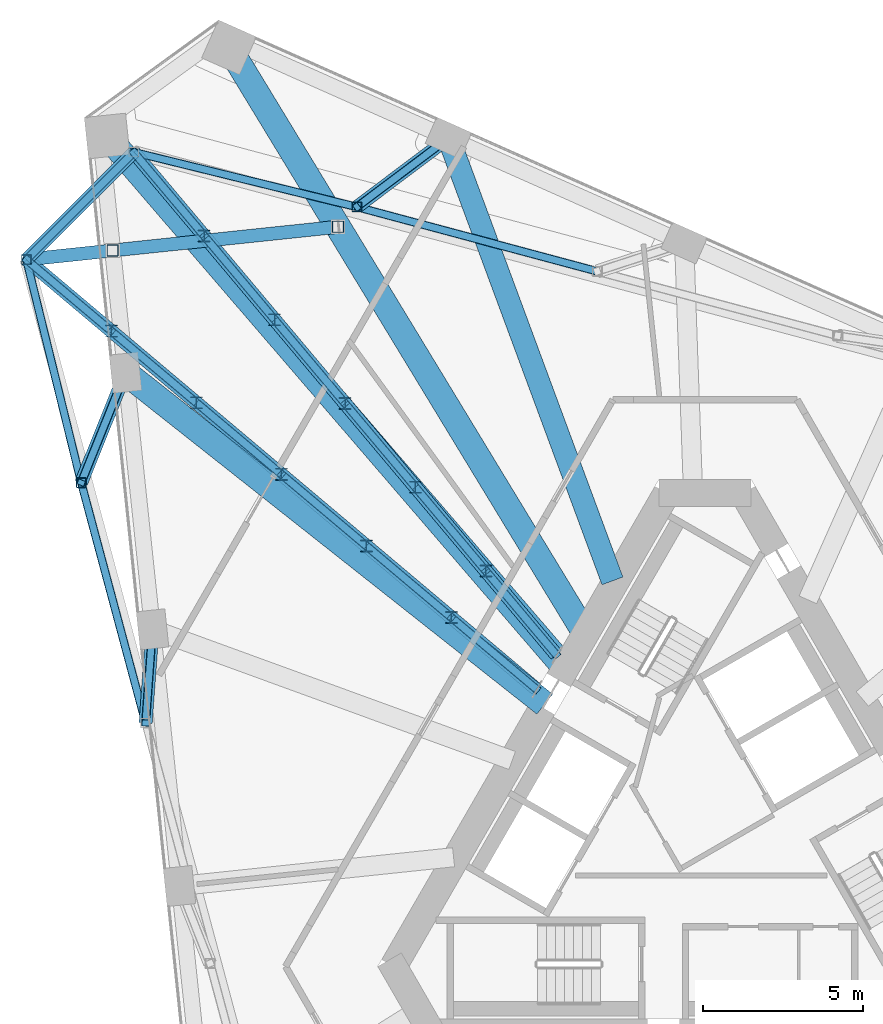
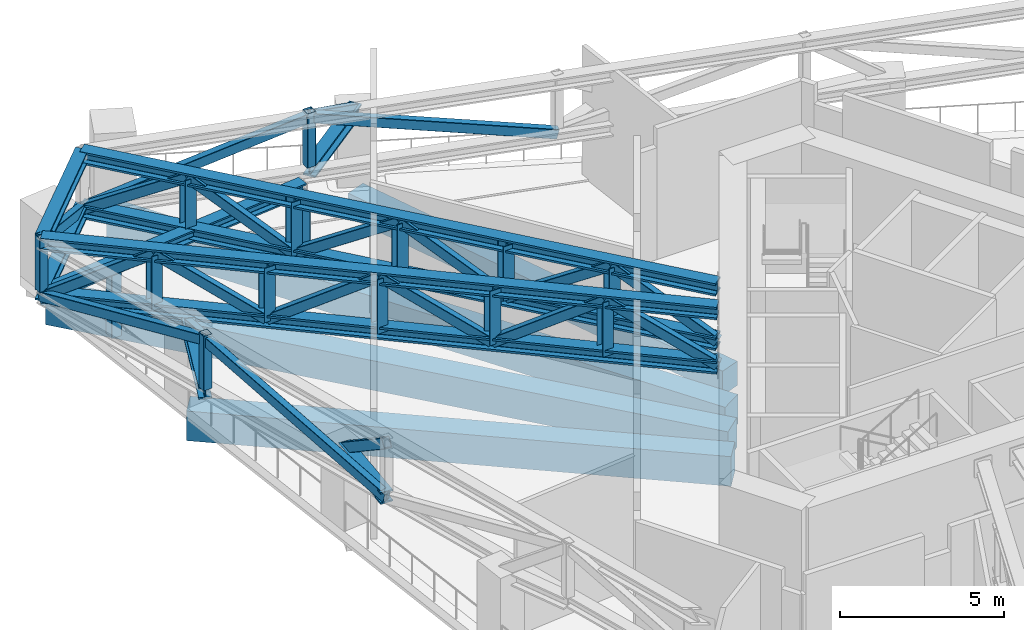
# One storey, part 9 of 26: 45 members, 4 beams.
"""IFC4 building model written with IfcOpenShell, lengths in metres."""

from ifc_helpers import new_model, si_unit, direction, frame, origin, origin_2d, place, context, subcontext, project, spatial, rectangle, hollow_rectangle, i_section, extrude, material, material_profile, profile_set, type_object, element, save


model = new_model("IFC4")

# Units and contexts
model_context = context("Model", 3, precision=1e-05, world=origin(), true_north=direction((0.0, 1.0)))
body_context = subcontext(model_context, "Body", "Model", "MODEL_VIEW")
ifc_project = project(units=[si_unit("LENGTHUNIT", "METRE"), si_unit("AREAUNIT", "SQUARE_METRE"), si_unit("VOLUMEUNIT", "CUBIC_METRE"), si_unit("PLANEANGLEUNIT", "RADIAN"), si_unit("MASSUNIT", "GRAM", prefix="KILO")], contexts=[model_context])

# Site, building, storey
site_placement = place(None, origin())
site = spatial("IfcSite", under=ifc_project, at=site_placement, CompositionType="ELEMENT")
building_placement = place(site_placement, origin())
building = spatial("IfcBuilding", under=site, at=building_placement, Name="Tramontana Tower", CompositionType="ELEMENT")
storey_placement = place(building_placement, frame((0.0, 0.0, 194.800048828125)))
storey = spatial("IfcBuildingStorey", under=building, at=storey_placement, Name="L45", CompositionType="ELEMENT", Elevation=194.800048828125)

# Members
ifc_material_1 = material(Name="Steel ASTM A500 Grade C", Category="steel")
ifc_material_profile_1 = material_profile(ifc_material_1, hollow_rectangle(XDim=0.3046875, YDim=0.3046875, WallThickness=0.01171875, InnerFilletRadius=0.01171875, OuterFilletRadius=0.023681640625, at=origin_2d()), Name="HSS12X12X1/2")
ifc_profile_set_1 = profile_set([ifc_material_profile_1], Name="Steel ASTM A500 Grade C")
member_type_1 = type_object("IfcMemberType", Name="Belt truss HSS12X12X1/2 post", PredefinedType="POST", material=ifc_profile_set_1)
for number, where, z_axis, x_axis, name in (
    (1, (-21.2548828125, 17.89111328125, 2.8349609375), (0.0, 0.0, 1.0), (1.0, 0.0, 0.0), "Belt truss post C5K1"),
    (2, (-19.53759765625, 10.9033203125, 2.8349609375), (0.0, 0.0, 1.0), (1.0, 0.0, 0.0), "Belt truss post C5F01"),
    (3, (-10.9033203125, 19.53759765625, 2.8349609375), (0.0, 0.0, 1.0), (1.0, 0.0, 0.0), "Belt truss post C5F15"),
):
    element("IfcMember", number, at=place(storey_placement, frame(where, z_axis=z_axis, x_axis=x_axis)), inside=storey, type_object=member_type_1, Name=name, PredefinedType="POST", context=body_context, shape_type="SweptSolid", body=[
        extrude(hollow_rectangle(XDim=0.3046875, YDim=0.3046875, WallThickness=0.01171875, InnerFilletRadius=0.01171875, OuterFilletRadius=0.023681640625, at=origin_2d()), origin(), (0.0, 0.0, 1.0), 2.014892578125),
    ])
ifc_material_2 = material(Name="Steel ASTM A500 Grade C", Category="steel")
ifc_material_profile_2 = material_profile(ifc_material_2, hollow_rectangle(XDim=0.25390625, YDim=0.355712890625, WallThickness=0.01171875, InnerFilletRadius=0.01171875, OuterFilletRadius=0.023681640625, at=origin_2d()), Name="HSS14X10X1/2")
ifc_profile_set_2 = profile_set([ifc_material_profile_2], Name="Steel ASTM A500 Grade C")
member_type_2 = type_object("IfcMemberType", Name="Belt truss HSS14X10X1/2 brace", PredefinedType="BRACE", material=ifc_profile_set_2)
member_1_placement = place(storey_placement, frame((-21.2548828125, 17.89111328125, 2.617431640625), z_axis=(0.229812279767, -0.935127533621, 0.269671674324), x_axis=(0.97110470102, 0.238653849031, 0.0)))
element("IfcMember", 4, at=member_1_placement, inside=storey, type_object=member_type_2, Name="Belt truss diagonal S0.1", PredefinedType="BRACE", context=body_context, shape_type="SweptSolid", body=[
    extrude(hollow_rectangle(XDim=0.25390625, YDim=0.355712890625, WallThickness=0.01171875, InnerFilletRadius=0.01171875, OuterFilletRadius=0.023681640625, at=origin_2d()), origin(), (0.0, 0.0, 1.0), 7.47265625),
])
for number, where, z_axis, x_axis, name in (
    (5, (-19.53759765625, 10.9033203125, 4.632568359375), (0.25055105561, -0.935184392751, -0.250308449892), (0.9659337912, 0.258789317819, 0.0), "Belt truss diagonal S0.2"),
    (6, (-3.37451171875, 17.5205078125, 2.617431640625), (-0.935184392751, 0.25055105561, 0.250308449892), (-0.258789317819, -0.9659337912, 0.0), "Belt truss diagonal S2.5"),
):
    element("IfcMember", number, at=place(storey_placement, frame(where, z_axis=z_axis, x_axis=x_axis)), inside=storey, type_object=member_type_2, Name=name, PredefinedType="BRACE", context=body_context, shape_type="SweptSolid", body=[
        extrude(hollow_rectangle(XDim=0.25390625, YDim=0.355712890625, WallThickness=0.01171875, InnerFilletRadius=0.01171875, OuterFilletRadius=0.023681640625, at=origin_2d()), origin(), (0.0, 0.0, 1.0), 8.050537109375),
    ])
member_2_placement = place(storey_placement, frame((-10.9033203125, 19.53759765625, 4.632568359375), z_axis=(-0.935127533621, 0.229812279767, -0.269671674324), x_axis=(-0.238653849031, -0.97110470102, 0.0)))
element("IfcMember", 7, at=member_2_placement, inside=storey, type_object=member_type_2, Name="Belt truss diagonal S2.6", PredefinedType="BRACE", context=body_context, shape_type="SweptSolid", body=[
    extrude(hollow_rectangle(XDim=0.25390625, YDim=0.355712890625, WallThickness=0.01171875, InnerFilletRadius=0.01171875, OuterFilletRadius=0.023681640625, at=origin_2d()), origin(), (0.0, 0.0, 1.0), 7.47265625),
])
member_3_placement = place(storey_placement, frame((-17.89111328125, 21.2548828125, 2.617431640625), z_axis=(-0.65109823742, -0.65109823742, 0.390054060942), x_axis=(0.707106781187, -0.707106781187, 0.0)))
element("IfcMember", 8, at=member_3_placement, inside=storey, type_object=member_type_2, Name="Belt truss diagonal K0.1", PredefinedType="BRACE", context=body_context, shape_type="SweptSolid", body=[
    extrude(hollow_rectangle(XDim=0.25390625, YDim=0.355712890625, WallThickness=0.01171875, InnerFilletRadius=0.01171875, OuterFilletRadius=0.023681640625, at=origin_2d()), origin(), (0.0, 0.0, 1.0), 5.166259765625),
])
ifc_material_3 = material(Name="Steel ASTM A992 Grade 50", Category="steel")
ifc_material_profile_3 = material_profile(ifc_material_3, i_section(OverallWidth=0.412841796875, OverallDepth=0.43505859375, WebThickness=0.03662109375, FlangeThickness=0.05712890625, FilletRadius=0.01513671875, at=origin_2d()), Name="W14X311")
ifc_profile_set_3 = profile_set([ifc_material_profile_3], Name="Steel ASTM A992 Grade 50")
member_type_3 = type_object("IfcMemberType", Name="Belt truss W14X311 chord", PredefinedType="CHORD", material=ifc_profile_set_3)
for number, where, z_axis, x_axis, name in (
    (9, (-17.89111328125, 21.2548828125, 2.617431640625), (-0.707106781187, -0.707106781187, 0.0), (0.707106781187, -0.707106781187, 0.0), "Belt truss bottom chord K0"),
    (10, (-17.89111328125, 21.2548828125, 4.632568359375), (-0.707106781187, -0.707106781187, 0.0), (0.707106781187, -0.707106781187, 0.0), "Belt truss top chord K0"),
):
    element("IfcMember", number, at=place(storey_placement, frame(where, z_axis=z_axis, x_axis=x_axis)), inside=storey, type_object=member_type_3, Name=name, PredefinedType="CHORD", context=body_context, shape_type="SweptSolid", body=[
        extrude(i_section(OverallWidth=0.412841796875, OverallDepth=0.43505859375, WebThickness=0.03662109375, FlangeThickness=0.05712890625, FilletRadius=0.01513671875, at=origin_2d()), origin(), (0.0, 0.0, 1.0), 4.757080078125),
    ])

# Beams
ifc_material_4 = material(Name="Concrete 40 MPa", Category="concrete")
ifc_material_profile_4 = material_profile(ifc_material_4, rectangle(XDim=0.699951171875, YDim=0.89990234375, at=origin_2d()), Name="RC GIRDER 700X900 40 MPa")
ifc_profile_set_4 = profile_set([ifc_material_profile_4], Name="Concrete 40 MPa")
beam_type_1 = type_object("IfcBeamType", Name="RC GIRDER 700X900 40 MPa", PredefinedType="BEAM", material=ifc_profile_set_4)
beam_1_placement = place(storey_placement, frame((-8.03662109375, 21.6943359375, -0.800048828125), z_axis=(0.347381556139, -0.93772386898, 0.0), x_axis=(0.93772386898, 0.347381556139, 0.0)))
element("IfcBeam", 11, at=beam_1_placement, inside=storey, type_object=beam_type_1, Name="Radial girder C4F15 L45", PredefinedType="BEAM", context=body_context, shape_type="SweptSolid", body=[
    extrude(rectangle(XDim=0.699951171875, YDim=0.89990234375, at=origin_2d()), origin(), (0.0, 0.0, 1.0), 14.79052734375),
])
ifc_material_5 = material(Name="Concrete 40 MPa", Category="concrete")
ifc_material_profile_5 = material_profile(ifc_material_5, rectangle(XDim=0.800048828125, YDim=1.10009765625, at=origin_2d()), Name="RC GIRDER 800X1100 40 MPa")
ifc_profile_set_5 = profile_set([ifc_material_profile_5], Name="Concrete 40 MPa")
beam_type_2 = type_object("IfcBeamType", Name="RC GIRDER 800X1100 40 MPa", PredefinedType="BEAM", material=ifc_profile_set_5)
beam_2_placement = place(storey_placement, frame((-18.727294921875, 21.760498046875, -0.900146484375), z_axis=(0.652300085393, -0.757960816004, 0.0), x_axis=(0.757960816004, 0.652300085393, 0.0)))
element("IfcBeam", 12, at=beam_2_placement, inside=storey, type_object=beam_type_2, Name="Radial girder C4K1 L45", PredefinedType="BEAM", context=body_context, shape_type="SweptSolid", body=[
    extrude(rectangle(XDim=0.800048828125, YDim=1.10009765625, at=origin_2d()), origin(), (0.0, 0.0, 1.0), 21.983154296875),
])
beam_3_placement = place(storey_placement, frame((-18.149169921875, 14.347412109375, -0.900146484375), z_axis=(0.784478628915, -0.620155852005, 0.0), x_axis=(0.620155852005, 0.784478628915, 0.0)))
element("IfcBeam", 13, at=beam_3_placement, inside=storey, type_object=beam_type_2, Name="Radial girder C4F01 L45", PredefinedType="BEAM", context=body_context, shape_type="SweptSolid", body=[
    extrude(rectangle(XDim=0.800048828125, YDim=1.10009765625, at=origin_2d()), origin(), (0.0, 0.0, 1.0), 16.73828125),
])
beam_4_placement = place(storey_placement, frame((-14.908447265625, 24.534912109375, -0.900146484375), z_axis=(0.519297566275, -0.854593492639, 0.0), x_axis=(0.854593492639, 0.519297566275, 0.0)))
element("IfcBeam", 14, at=beam_4_placement, inside=storey, type_object=beam_type_2, Name="Radial girder C4K6 L45", PredefinedType="BEAM", context=body_context, shape_type="SweptSolid", body=[
    extrude(rectangle(XDim=0.800048828125, YDim=1.10009765625, at=origin_2d()), origin(), (0.0, 0.0, 1.0), 21.437744140625),
])

# Members
ifc_material_6 = material(Name="Steel ASTM A500 Grade C", Category="steel")
ifc_material_profile_6 = material_profile(ifc_material_6, hollow_rectangle(XDim=0.25390625, YDim=0.355712890625, WallThickness=0.01171875, InnerFilletRadius=0.01171875, OuterFilletRadius=0.023681640625, at=origin_2d()), Name="HSS14X10X1/2")
ifc_profile_set_6 = profile_set([ifc_material_profile_6], Name="Steel ASTM A500 Grade C")
member_type_4 = type_object("IfcMemberType", Name="Transfer truss HSS14X10X1/2 brace", PredefinedType="BRACE", material=ifc_profile_set_6)
member_4_placement = place(storey_placement, frame((-18.149169921875, 14.347412109375, 2.617431640625), z_axis=(-0.328625162636, -0.815177627802, 0.476960100651), x_axis=(0.927471259773, -0.373894453415, 0.0)))
element("IfcMember", 15, at=member_4_placement, inside=storey, type_object=member_type_4, Name="Transfer truss strut C5F01 diagonal", PredefinedType="BRACE", context=body_context, shape_type="SweptSolid", body=[
    extrude(hollow_rectangle(XDim=0.25390625, YDim=0.355712890625, WallThickness=0.01171875, InnerFilletRadius=0.01171875, OuterFilletRadius=0.023681640625, at=origin_2d()), origin(), (0.0, 0.0, 1.0), 4.224853515625),
])
member_5_placement = place(storey_placement, frame((-17.30419921875, 6.30859375, 2.617431640625), z_axis=(-0.060658495786, -0.822792101986, 0.565096189864), x_axis=(0.997293505578, -0.073523219, 0.0)))
element("IfcMember", 16, at=member_5_placement, inside=storey, type_object=member_type_4, Name="Transfer truss strut C5F02 diagonal", PredefinedType="BRACE", context=body_context, shape_type="SweptSolid", body=[
    extrude(hollow_rectangle(XDim=0.25390625, YDim=0.355712890625, WallThickness=0.01171875, InnerFilletRadius=0.01171875, OuterFilletRadius=0.023681640625, at=origin_2d()), origin(), (0.0, 0.0, 1.0), 3.56591796875),
])
member_6_placement = place(storey_placement, frame((-8.03662109375, 21.6943359375, 2.617431640625), z_axis=(-0.69670721629, -0.524162114521, 0.489748029574), x_axis=(0.601197093964, -0.799100778506, 0.0)))
element("IfcMember", 17, at=member_6_placement, inside=storey, type_object=member_type_4, Name="Transfer truss strut C5F15 diagonal", PredefinedType="BRACE", context=body_context, shape_type="SweptSolid", body=[
    extrude(hollow_rectangle(XDim=0.25390625, YDim=0.355712890625, WallThickness=0.01171875, InnerFilletRadius=0.01171875, OuterFilletRadius=0.023681640625, at=origin_2d()), origin(), (0.0, 0.0, 1.0), 4.11474609375),
])
member_7_placement = place(storey_placement, frame((-4.65771484375, 5.512451171875, 2.617431640625), z_axis=(-0.554725888493, 0.659849944404, 0.506830582646), x_axis=(-0.765446608005, -0.643499409707, 0.0)))
element("IfcMember", 18, at=member_7_placement, inside=storey, type_object=member_type_4, Name="Transfer truss diagonal 5.1", PredefinedType="BRACE", context=body_context, shape_type="SweptSolid", body=[
    extrude(hollow_rectangle(XDim=0.25390625, YDim=0.355712890625, WallThickness=0.01171875, InnerFilletRadius=0.01171875, OuterFilletRadius=0.023681640625, at=origin_2d()), origin(), (0.0, 0.0, 1.0), 3.97607421875),
])
member_8_placement = place(storey_placement, frame((-6.86328125, 8.135986328125, 4.632568359375), z_axis=(-0.55468093747, 0.659919273403, -0.506789512716), x_axis=(-0.765505590526, -0.643429243098, 0.0)))
element("IfcMember", 19, at=member_8_placement, inside=storey, type_object=member_type_4, Name="Transfer truss diagonal 5.2", PredefinedType="BRACE", context=body_context, shape_type="SweptSolid", body=[
    extrude(hollow_rectangle(XDim=0.25390625, YDim=0.355712890625, WallThickness=0.01171875, InnerFilletRadius=0.01171875, OuterFilletRadius=0.023681640625, at=origin_2d()), origin(), (0.0, 0.0, 1.0), 3.976318359375),
])
for number, where, z_axis, x_axis, name in (
    (20, (-9.06884765625, 10.760009765625, 2.617431640625), (-0.554725888493, 0.659849944404, 0.506830582646), (-0.765446608005, -0.643499409707, 0.0), "Transfer truss diagonal 5.3"),
    (21, (-11.2744140625, 13.383544921875, 4.632568359375), (-0.554703412661, 0.659884611011, -0.506810047388), (-0.765476101677, -0.643464325166, 0.0), "Transfer truss diagonal 5.4"),
    (22, (-13.47998046875, 16.00732421875, 2.617431640625), (-0.554703412661, 0.659884611011, 0.506810047388), (-0.765476101677, -0.643464325166, 0.0), "Transfer truss diagonal 5.5"),
    (23, (-15.685546875, 18.631103515625, 4.632568359375), (-0.554703412661, 0.659884611011, -0.506810047388), (-0.765476101677, -0.643464325166, 0.0), "Transfer truss diagonal 5.6"),
):
    element("IfcMember", number, at=place(storey_placement, frame(where, z_axis=z_axis, x_axis=x_axis)), inside=storey, type_object=member_type_4, Name=name, PredefinedType="BRACE", context=body_context, shape_type="SweptSolid", body=[
        extrude(hollow_rectangle(XDim=0.25390625, YDim=0.355712890625, WallThickness=0.01171875, InnerFilletRadius=0.01171875, OuterFilletRadius=0.023681640625, at=origin_2d()), origin(), (0.0, 0.0, 1.0), 3.97607421875),
    ])
member_9_placement = place(storey_placement, frame((-5.27978515625, 4.43505859375, 2.617431640625), z_axis=(-0.661940588992, 0.557545044057, 0.500977225522), x_axis=(-0.644217807141, -0.764842086292, 0.0)))
element("IfcMember", 24, at=member_9_placement, inside=storey, type_object=member_type_4, Name="Transfer truss diagonal 6.1", PredefinedType="BRACE", context=body_context, shape_type="SweptSolid", body=[
    extrude(hollow_rectangle(XDim=0.25390625, YDim=0.355712890625, WallThickness=0.01171875, InnerFilletRadius=0.01171875, OuterFilletRadius=0.023681640625, at=origin_2d()), origin(), (0.0, 0.0, 1.0), 4.0224609375),
])
member_10_placement = place(storey_placement, frame((-7.9423828125, 6.677734375, 4.632568359375), z_axis=(-0.661906486336, 0.557567444611, -0.500997353344), x_axis=(-0.644252363328, -0.764812978673, 0.0)))
element("IfcMember", 25, at=member_10_placement, inside=storey, type_object=member_type_4, Name="Transfer truss diagonal 6.2", PredefinedType="BRACE", context=body_context, shape_type="SweptSolid", body=[
    extrude(hollow_rectangle(XDim=0.25390625, YDim=0.355712890625, WallThickness=0.01171875, InnerFilletRadius=0.01171875, OuterFilletRadius=0.023681640625, at=origin_2d()), origin(), (0.0, 0.0, 1.0), 4.022216796875),
])
member_11_placement = place(storey_placement, frame((-10.604736328125, 8.92041015625, 2.617431640625), z_axis=(-0.661940588992, 0.557545044057, 0.500977225522), x_axis=(-0.644217807141, -0.764842086292, 0.0)))
element("IfcMember", 26, at=member_11_placement, inside=storey, type_object=member_type_4, Name="Transfer truss diagonal 6.3", PredefinedType="BRACE", context=body_context, shape_type="SweptSolid", body=[
    extrude(hollow_rectangle(XDim=0.25390625, YDim=0.355712890625, WallThickness=0.01171875, InnerFilletRadius=0.01171875, OuterFilletRadius=0.023681640625, at=origin_2d()), origin(), (0.0, 0.0, 1.0), 4.0224609375),
])
member_12_placement = place(storey_placement, frame((-13.267333984375, 11.1630859375, 4.632568359375), z_axis=(-0.661906486336, 0.557567444611, -0.500997353344), x_axis=(-0.644252363328, -0.764812978673, 0.0)))
element("IfcMember", 27, at=member_12_placement, inside=storey, type_object=member_type_4, Name="Transfer truss diagonal 6.4", PredefinedType="BRACE", context=body_context, shape_type="SweptSolid", body=[
    extrude(hollow_rectangle(XDim=0.25390625, YDim=0.355712890625, WallThickness=0.01171875, InnerFilletRadius=0.01171875, OuterFilletRadius=0.023681640625, at=origin_2d()), origin(), (0.0, 0.0, 1.0), 4.022216796875),
])
for number, where, z_axis, x_axis, name in (
    (28, (-15.9296875, 13.40576171875, 2.617431640625), (-0.661940588992, 0.557545044057, 0.500977225522), (-0.644217807141, -0.764842086292, 0.0), "Transfer truss diagonal 6.5"),
    (29, (-18.59228515625, 15.6484375, 4.632568359375), (-0.661940588992, 0.557545044057, -0.500977225522), (-0.644217807141, -0.764842086292, 0.0), "Transfer truss diagonal 6.6"),
):
    element("IfcMember", number, at=place(storey_placement, frame(where, z_axis=z_axis, x_axis=x_axis)), inside=storey, type_object=member_type_4, Name=name, PredefinedType="BRACE", context=body_context, shape_type="SweptSolid", body=[
        extrude(hollow_rectangle(XDim=0.25390625, YDim=0.355712890625, WallThickness=0.01171875, InnerFilletRadius=0.01171875, OuterFilletRadius=0.023681640625, at=origin_2d()), origin(), (0.0, 0.0, 1.0), 4.0224609375),
    ])
ifc_material_7 = material(Name="Steel ASTM A500 Grade C", Category="steel")
ifc_material_profile_7 = material_profile(ifc_material_7, hollow_rectangle(XDim=0.355712890625, YDim=0.355712890625, WallThickness=0.01171875, InnerFilletRadius=0.01171875, OuterFilletRadius=0.023681640625, at=origin_2d()), Name="HSS14X14X1/2")
ifc_profile_set_7 = profile_set([ifc_material_profile_7], Name="Steel ASTM A500 Grade C")
member_type_5 = type_object("IfcMemberType", Name="Transfer truss HSS14X14X1/2 post", PredefinedType="POST", material=ifc_profile_set_7)
for number, where, z_axis, x_axis, name in (
    (30, (-18.551513671875, 18.17529296875, 0.0400390625), (0.0, 0.0, 1.0), (1.0, 0.0, 0.0), "Transfer truss post C5K1.1"),
    (31, (-11.49462890625, 18.9169921875, 0.0400390625), (0.0, 0.0, 1.0), (1.0, 0.0, 0.0), "Transfer truss post C5K1.2"),
):
    element("IfcMember", number, at=place(storey_placement, frame(where, z_axis=z_axis, x_axis=x_axis)), inside=storey, type_object=member_type_5, Name=name, PredefinedType="POST", context=body_context, shape_type="SweptSolid", body=[
        extrude(hollow_rectangle(XDim=0.355712890625, YDim=0.355712890625, WallThickness=0.01171875, InnerFilletRadius=0.01171875, OuterFilletRadius=0.023681640625, at=origin_2d()), origin(), (0.0, 0.0, 1.0), 2.35986328125),
    ])
ifc_material_8 = material(Name="Steel ASTM A992 Grade 50", Category="steel")
ifc_material_profile_8 = material_profile(ifc_material_8, i_section(OverallWidth=0.374755859375, OverallDepth=0.37158203125, WebThickness=0.015869140625, FlangeThickness=0.025390625, FilletRadius=0.01513671875, at=origin_2d()), Name="W14X132")
ifc_profile_set_8 = profile_set([ifc_material_profile_8], Name="Steel ASTM A992 Grade 50")
member_type_6 = type_object("IfcMemberType", Name="Transfer truss W14X132 post", PredefinedType="POST", material=ifc_profile_set_8)
for number, where, z_axis, x_axis, name in (
    (32, (-6.86328125, 8.135986328125, 2.617431640625), (0.0, 0.0, 1.0), (1.0, 0.0, 0.0), "Transfer truss post 5.1"),
    (33, (-9.06884765625, 10.760009765625, 2.617431640625), (0.0, 0.0, 1.0), (1.0, 0.0, 0.0), "Transfer truss post 5.2"),
    (34, (-11.2744140625, 13.383544921875, 2.617431640625), (0.0, 0.0, 1.0), (1.0, 0.0, 0.0), "Transfer truss post 5.3"),
    (35, (-13.47998046875, 16.00732421875, 2.617431640625), (0.0, 0.0, 1.0), (1.0, 0.0, 0.0), "Transfer truss post 5.4"),
    (36, (-15.685546875, 18.631103515625, 2.617431640625), (0.0, 0.0, 1.0), (1.0, 0.0, 0.0), "Transfer truss post 5.5"),
    (37, (-7.9423828125, 6.677734375, 2.617431640625), (0.0, 0.0, 1.0), (1.0, 0.0, 0.0), "Transfer truss post 6.1"),
    (38, (-10.604736328125, 8.92041015625, 2.617431640625), (0.0, 0.0, 1.0), (1.0, 0.0, 0.0), "Transfer truss post 6.2"),
    (39, (-13.267333984375, 11.1630859375, 2.617431640625), (0.0, 0.0, 1.0), (1.0, 0.0, 0.0), "Transfer truss post 6.3"),
    (40, (-15.9296875, 13.40576171875, 2.617431640625), (0.0, 0.0, 1.0), (1.0, 0.0, 0.0), "Transfer truss post 6.4"),
    (41, (-18.59228515625, 15.6484375, 2.617431640625), (0.0, 0.0, 1.0), (1.0, 0.0, 0.0), "Transfer truss post 6.5"),
):
    element("IfcMember", number, at=place(storey_placement, frame(where, z_axis=z_axis, x_axis=x_axis)), inside=storey, type_object=member_type_6, Name=name, PredefinedType="POST", context=body_context, shape_type="SweptSolid", body=[
        extrude(i_section(OverallWidth=0.374755859375, OverallDepth=0.37158203125, WebThickness=0.015869140625, FlangeThickness=0.025390625, FilletRadius=0.01513671875, at=origin_2d()), origin(), (0.0, 0.0, 1.0), 2.01513671875),
    ])
ifc_material_9 = material(Name="Steel ASTM A992 Grade 50", Category="steel")
ifc_material_profile_9 = material_profile(ifc_material_9, i_section(OverallWidth=0.412841796875, OverallDepth=0.43505859375, WebThickness=0.03662109375, FlangeThickness=0.05712890625, FilletRadius=0.01513671875, at=origin_2d()), Name="W14X311")
ifc_profile_set_9 = profile_set([ifc_material_profile_9], Name="Steel ASTM A992 Grade 50")
member_type_7 = type_object("IfcMemberType", Name="Transfer truss W14X311 chord", PredefinedType="CHORD", material=ifc_profile_set_9)
member_13_placement = place(storey_placement, frame((-21.2548828125, 17.89111328125, 2.617431640625), z_axis=(0.994521525856, 0.10453197888, 0.0), x_axis=(-0.10453197888, 0.994521525856, 0.0)))
element("IfcMember", 42, at=member_13_placement, inside=storey, type_object=member_type_7, Name="Transfer truss girder C5K1", PredefinedType="CHORD", context=body_context, shape_type="SweptSolid", body=[
    extrude(i_section(OverallWidth=0.412841796875, OverallDepth=0.43505859375, WebThickness=0.03662109375, FlangeThickness=0.05712890625, FilletRadius=0.01513671875, at=origin_2d()), origin(), (0.0, 0.0, 1.0), 9.81396484375),
])
ifc_material_10 = material(Name="Steel ASTM A992 Grade 50", Category="steel")
ifc_material_profile_10 = material_profile(ifc_material_10, i_section(OverallWidth=0.412841796875, OverallDepth=0.43505859375, WebThickness=0.03662109375, FlangeThickness=0.05712890625, FilletRadius=0.01513671875, at=origin_2d()), Name="W14X311")
ifc_profile_set_10 = profile_set([ifc_material_profile_10], Name="Steel ASTM A992 Grade 50")
member_type_8 = type_object("IfcMemberType", Name="Transfer truss W14X311 strut", PredefinedType="STRUT", material=ifc_profile_set_10)
member_14_placement = place(storey_placement, frame((-18.149169921875, 14.347412109375, 2.617431640625), z_axis=(-0.373894453415, -0.927471259773, 0.0), x_axis=(0.927471259773, -0.373894453415, 0.0)))
element("IfcMember", 43, at=member_14_placement, inside=storey, type_object=member_type_8, Name="Transfer truss strut C5F01 bottom", PredefinedType="STRUT", context=body_context, shape_type="SweptSolid", body=[
    extrude(i_section(OverallWidth=0.412841796875, OverallDepth=0.43505859375, WebThickness=0.03662109375, FlangeThickness=0.05712890625, FilletRadius=0.01513671875, at=origin_2d()), origin(), (0.0, 0.0, 1.0), 3.71337890625),
])
member_15_placement = place(storey_placement, frame((-17.30419921875, 6.30859375, 2.617431640625), z_axis=(-0.073523219, -0.997293505578, 0.0), x_axis=(0.997293505578, -0.073523219, 0.0)))
element("IfcMember", 44, at=member_15_placement, inside=storey, type_object=member_type_8, Name="Transfer truss strut C5F02 bottom", PredefinedType="STRUT", context=body_context, shape_type="SweptSolid", body=[
    extrude(i_section(OverallWidth=0.412841796875, OverallDepth=0.43505859375, WebThickness=0.03662109375, FlangeThickness=0.05712890625, FilletRadius=0.01513671875, at=origin_2d()), origin(), (0.0, 0.0, 1.0), 2.942138671875),
])
member_16_placement = place(storey_placement, frame((-8.03662109375, 21.6943359375, 2.617431640625), z_axis=(-0.799100778506, -0.601197093964, 0.0), x_axis=(0.601197093964, -0.799100778506, 0.0)))
element("IfcMember", 45, at=member_16_placement, inside=storey, type_object=member_type_8, Name="Transfer truss strut C5F15 bottom", PredefinedType="STRUT", context=body_context, shape_type="SweptSolid", body=[
    extrude(i_section(OverallWidth=0.412841796875, OverallDepth=0.43505859375, WebThickness=0.03662109375, FlangeThickness=0.05712890625, FilletRadius=0.01513671875, at=origin_2d()), origin(), (0.0, 0.0, 1.0), 3.58740234375),
])
ifc_material_11 = material(Name="Steel ASTM A992 Grade 50", Category="steel")
ifc_material_profile_11 = material_profile(ifc_material_11, i_section(OverallWidth=0.42236328125, OverallDepth=0.463623046875, WebThickness=0.04443359375, FlangeThickness=0.072998046875, FilletRadius=0.014892578125, at=origin_2d()), Name="W14X398")
ifc_profile_set_11 = profile_set([ifc_material_profile_11], Name="Steel ASTM A992 Grade 50")
member_type_9 = type_object("IfcMemberType", Name="Transfer truss W14X398 chord", PredefinedType="CHORD", material=ifc_profile_set_11)
for number, where, z_axis, x_axis, name in (
    (46, (-4.65771484375, 5.512451171875, 2.617431640625), (-0.643470172417, 0.7654711864, 0.0), (-0.7654711864, -0.643470172417, 0.0), "Transfer truss bottom chord 5"),
    (47, (-4.65771484375, 5.512451171875, 4.632568359375), (-0.643470172417, 0.7654711864, 0.0), (-0.7654711864, -0.643470172417, 0.0), "Transfer truss top chord 5"),
):
    element("IfcMember", number, at=place(storey_placement, frame(where, z_axis=z_axis, x_axis=x_axis)), inside=storey, type_object=member_type_9, Name=name, PredefinedType="CHORD", context=body_context, shape_type="SweptSolid", body=[
        extrude(i_section(OverallWidth=0.42236328125, OverallDepth=0.463623046875, WebThickness=0.04443359375, FlangeThickness=0.072998046875, FilletRadius=0.014892578125, at=origin_2d()), origin(), (0.0, 0.0, 1.0), 20.565673828125),
    ])
for number, where, z_axis, x_axis, name in (
    (48, (-5.27978515625, 4.43505859375, 2.617431640625), (-0.764832384273, 0.644229325604, 0.0), (-0.644229325604, -0.764832384273, 0.0), "Transfer truss bottom chord 6"),
    (49, (-5.27978515625, 4.43505859375, 4.632568359375), (-0.764832384273, 0.644229325604, 0.0), (-0.644229325604, -0.764832384273, 0.0), "Transfer truss top chord 6"),
):
    element("IfcMember", number, at=place(storey_placement, frame(where, z_axis=z_axis, x_axis=x_axis)), inside=storey, type_object=member_type_9, Name=name, PredefinedType="CHORD", context=body_context, shape_type="SweptSolid", body=[
        extrude(i_section(OverallWidth=0.42236328125, OverallDepth=0.463623046875, WebThickness=0.04443359375, FlangeThickness=0.072998046875, FilletRadius=0.014892578125, at=origin_2d()), origin(), (0.0, 0.0, 1.0), 20.886962890625),
    ])

save(model, "model.ifc")
